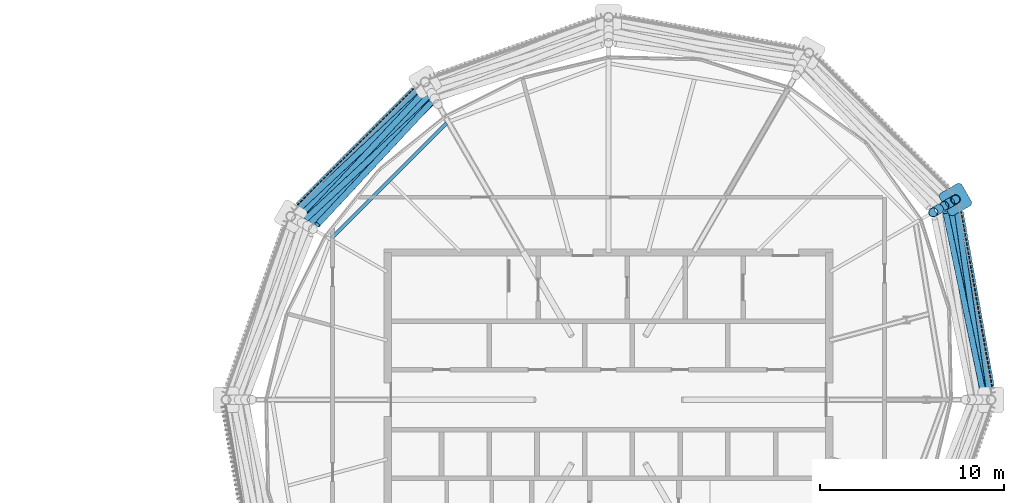
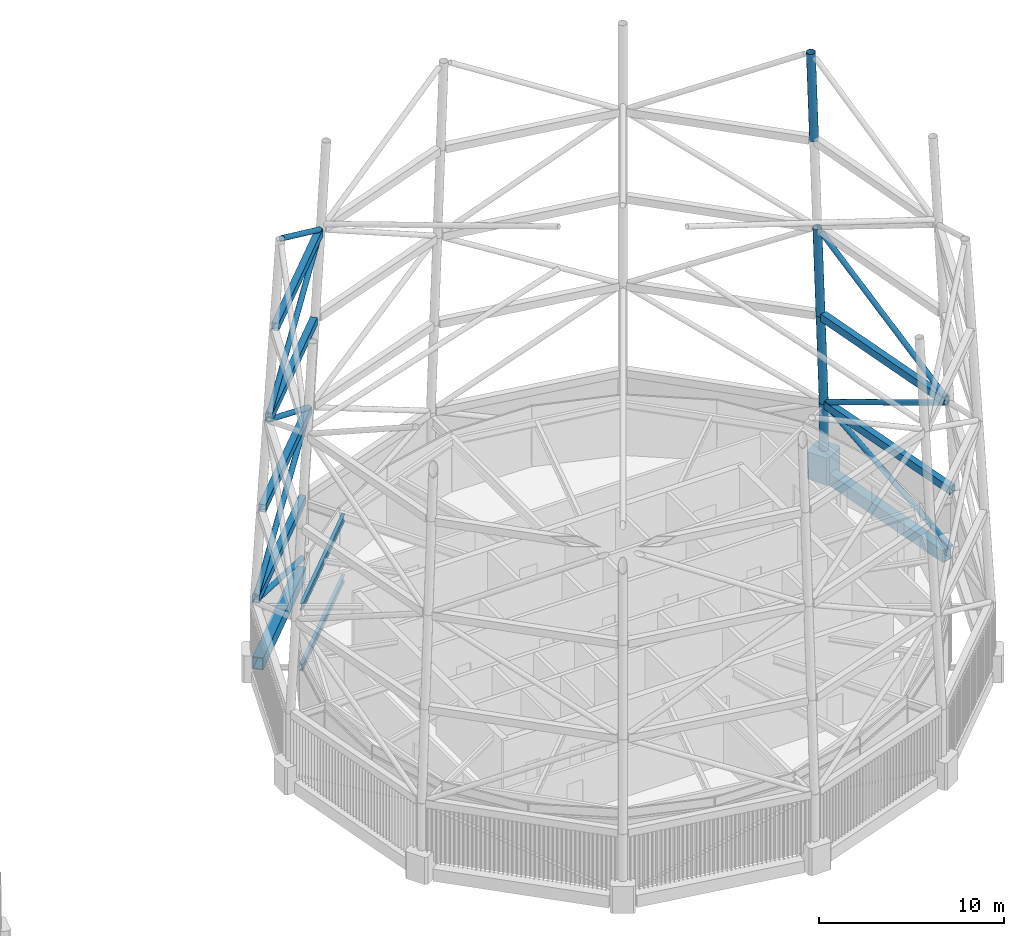
# One storey, part 55 of 71: 13 members, 10 beams.
"""IFC4 building model written with IfcOpenShell, lengths in metres."""

import ifcopenshell
import ifcopenshell.guid

model = None  # the IFC model being written
_history = None  # IfcOwnerHistory: only IFC2X3 demands one
_inside = {}  # id of a spatial element -> (the spatial element, [elements in it])
_under = {}  # id of a project, library or spatial element -> (it, [spatial elements below it])
_declared = {}  # id of a project -> (the project, [libraries it declares])
_typed = {}  # id of a type object -> (the type object, [elements of that type])
_made_of = {}  # id of a material, layer set ... -> (it, [elements and type objects made of it])


def new_model(schema):
    """Start an empty IFC model of exactly this schema.

    Asked for "IFC4X3", IfcOpenShell would pick the latest addendum, in which some entities
    have other attributes; the version numbers below select the first issue.
    IFC2X3 requires an IfcOwnerHistory on every rooted entity: one is made here for all.
    """
    global model, _history
    if schema == "IFC4X3":
        model = ifcopenshell.file(schema_version=(4, 3, 0, 0))
    else:
        model = ifcopenshell.file(schema=schema)
    _inside.clear()
    _under.clear()
    _declared.clear()
    _typed.clear()
    _made_of.clear()
    _history = None
    if model.schema == "IFC2X3":
        org = make("IfcOrganization", Name="unknown")
        user = make(
            "IfcPersonAndOrganization",
            ThePerson=make("IfcPerson", FamilyName="unknown"),
            TheOrganization=org,
        )
        app = make(
            "IfcApplication",
            ApplicationDeveloper=org,
            Version="unknown",
            ApplicationFullName="unknown",
            ApplicationIdentifier="unknown",
        )
        _history = make(
            "IfcOwnerHistory",
            OwningUser=user,
            OwningApplication=app,
            ChangeAction="ADDED",
            CreationDate=0,
        )
    return model


def make(cls, **values):
    """One entity of the class cls with the attributes given. An attribute that is None is left unset."""
    return model.create_entity(
        cls, **{name: value for name, value in values.items() if value is not None}
    )


def rooted(cls, **values):
    """An entity with a GlobalId (a new one), such as an element, a storey or a relation."""
    return make(cls, GlobalId=ifcopenshell.guid.new(), OwnerHistory=_history, **values)


def si_unit(unit_type, name, prefix=None):
    """IfcSIUnit, for example si_unit("LENGTHUNIT", "METRE", prefix="MILLI")."""
    return make("IfcSIUnit", UnitType=unit_type, Prefix=prefix, Name=name)


def assignment(units):
    """IfcUnitAssignment: the units of a project."""
    return None if units is None else make("IfcUnitAssignment", Units=units)


def point(xyz):
    """IfcCartesianPoint."""
    return None if xyz is None else make("IfcCartesianPoint", Coordinates=xyz)


def direction(xyz):
    """IfcDirection."""
    return None if xyz is None else make("IfcDirection", DirectionRatios=xyz)


def frame(location, z_axis=None, x_axis=None):
    """IfcAxis2Placement3D, a coordinate frame: its origin and axes. An axis left out is left unset."""
    return make(
        "IfcAxis2Placement3D",
        Location=point(location),
        Axis=direction(z_axis),
        RefDirection=direction(x_axis),
    )


def frame_2d(location, x_axis=None):
    """IfcAxis2Placement2D, a coordinate frame in the plane: its origin and x axis."""
    return make(
        "IfcAxis2Placement2D", Location=point(location), RefDirection=direction(x_axis)
    )


def origin():
    """The frame at (0, 0, 0) with its axes left unset."""
    return frame((0.0, 0.0, 0.0))


def origin_2d():
    """The frame at (0, 0) in the plane with its x axis left unset."""
    return frame_2d((0.0, 0.0))


def place(relative_to, where):
    """IfcLocalPlacement: puts the frame where relative to a parent placement (None: the world)."""
    return make(
        "IfcLocalPlacement", PlacementRelTo=relative_to, RelativePlacement=where
    )


def context(
    kind, dimensions, precision=None, world=None, true_north=None, identifier=None
):
    """IfcGeometricRepresentationContext, for example the 3D "Model" context."""
    return make(
        "IfcGeometricRepresentationContext",
        ContextIdentifier=identifier,
        ContextType=kind,
        CoordinateSpaceDimension=dimensions,
        Precision=precision,
        WorldCoordinateSystem=world,
        TrueNorth=true_north,
    )


def subcontext(parent, identifier, kind, view, scale=None):
    """IfcGeometricRepresentationSubContext, for example "Body" below "Model"."""
    return make(
        "IfcGeometricRepresentationSubContext",
        ContextIdentifier=identifier,
        ContextType=kind,
        ParentContext=parent,
        TargetScale=scale,
        TargetView=view,
    )


def project(units=None, contexts=None):
    """IfcProject with its units and contexts."""
    return rooted(
        "IfcProject",
        Name="project",
        RepresentationContexts=contexts,
        UnitsInContext=assignment(units),
    )


def spatial(cls, under=None, at=None, **own):
    """A site, building, storey or space (cls), placed at a placement, below another one or the project."""
    s = rooted(cls, ObjectPlacement=at, **own)
    if under is not None:
        _under.setdefault(under.id(), (under, []))[1].append(s)
    return s


def polyline(points):
    """IfcPolyline through the points."""
    return make("IfcPolyline", Points=[point(p) for p in points])


def profile(cls, at=None, kind="AREA", **sizes):
    """A parametric profile (cls). Its sizes go by their IFC names, for example OverallWidth=200.0."""
    return make(cls, ProfileType=kind, Position=at, **sizes)


def hollow_rectangle(**sizes):
    """IfcRectangleHollowProfileDef."""
    return profile("IfcRectangleHollowProfileDef", **sizes)


def hollow_circle(**sizes):
    """IfcCircleHollowProfileDef."""
    return profile("IfcCircleHollowProfileDef", **sizes)


def i_section(**sizes):
    """IfcIShapeProfileDef."""
    return profile("IfcIShapeProfileDef", **sizes)


def outline(outer, holes=None, kind="AREA"):
    """IfcArbitraryClosedProfileDef: a profile drawn as a closed curve; with holes, ...WithVoids."""
    if holes is None:
        return make("IfcArbitraryClosedProfileDef", ProfileType=kind, OuterCurve=outer)
    return make(
        "IfcArbitraryProfileDefWithVoids",
        ProfileType=kind,
        OuterCurve=outer,
        InnerCurves=holes,
    )


def extrude(swept, where, along, depth):
    """IfcExtrudedAreaSolid: the profile swept, set in the frame where, extruded along a direction by depth."""
    return make(
        "IfcExtrudedAreaSolid",
        SweptArea=swept,
        Position=where,
        ExtrudedDirection=direction(along),
        Depth=depth,
    )


def shape(context_of_items, identifier, shape_type, items):
    """IfcShapeRepresentation: the items that make up one representation, for example the "Body"."""
    return make(
        "IfcShapeRepresentation",
        ContextOfItems=context_of_items,
        RepresentationIdentifier=identifier,
        RepresentationType=shape_type,
        Items=items,
    )


def material(Name=None, Category=None):
    """IfcMaterial."""
    return make("IfcMaterial", Name=Name, Category=Category)


def material_profile(
    of_material, cross_section, Name=None, Category=None, Priority=None
):
    """IfcMaterialProfile: a cross section and its material."""
    return make(
        "IfcMaterialProfile",
        Name=Name,
        Material=of_material,
        Profile=cross_section,
        Priority=Priority,
        Category=Category,
    )


def profile_set(profiles, Name=None, composite=None):
    """IfcMaterialProfileSet."""
    return make(
        "IfcMaterialProfileSet",
        Name=Name,
        MaterialProfiles=profiles,
        CompositeProfile=composite,
    )


def made_of(thing, what):
    """Note that an element or type object is made of a material, layer set ...; save() writes the relation."""
    if what is not None:
        _made_of.setdefault(what.id(), (what, []))[1].append(thing)
    return thing


def type_object(cls, material=None, **own):
    """A type object (cls), such as IfcWallType, which elements share."""
    return made_of(rooted(cls, **own), material)


def element(
    cls,
    number,
    at=None,
    inside=None,
    cuts=None,
    type_object=None,
    material=None,
    context=None,
    identifier="Body",
    shape_type=None,
    held_by="IfcProductDefinitionShape",
    body=None,
    shapes=None,
    **own,
):
    """One element of the class cls, such as IfcWall. Its Tag is "e" and its number.

    at: its placement. inside: the storey or other place that contains it. cuts: it is an
    opening in that element (IfcRelVoidsElement). A single representation is given by context,
    identifier, shape_type and body (its items); several are given by shapes. held_by: the class
    of the entity that holds the representations. save() writes the other relations.
    """
    e = rooted(cls, Tag="e%d" % number, ObjectPlacement=at, **own)
    if body is not None:
        shapes = [shape(context, identifier, shape_type, body)]
    if shapes is not None:
        e.Representation = make(held_by, Representations=shapes)
    if inside is not None:
        _inside.setdefault(inside.id(), (inside, []))[1].append(e)
    if cuts is not None:
        rooted(
            "IfcRelVoidsElement", RelatingBuildingElement=cuts, RelatedOpeningElement=e
        )
    if type_object is not None:
        _typed.setdefault(type_object.id(), (type_object, []))[1].append(e)
    return made_of(e, material)


def aggregate(whole, parts):
    """IfcRelAggregates: a whole, such as a stair, and the parts it consists of."""
    return rooted("IfcRelAggregates", RelatingObject=whole, RelatedObjects=parts)


def save(model, path):
    """Write the relations noted so far, then the file.

    IfcRelAggregates (storeys below a building ...), IfcRelContainedInSpatialStructure (elements
    in a storey), IfcRelDefinesByType, IfcRelAssociatesMaterial and IfcRelDeclares: one each for
    every whole, place, type object, material and project.
    """
    for whole, parts in _under.values():
        aggregate(whole, parts)
    for where, things in _inside.values():
        rooted(
            "IfcRelContainedInSpatialStructure",
            RelatedElements=things,
            RelatingStructure=where,
        )
    for kind, things in _typed.values():
        rooted("IfcRelDefinesByType", RelatedObjects=things, RelatingType=kind)
    for what, things in _made_of.values():
        rooted("IfcRelAssociatesMaterial", RelatedObjects=things, RelatingMaterial=what)
    for by, libraries in _declared.values():
        rooted("IfcRelDeclares", RelatingContext=by, RelatedDefinitions=libraries)
    model.write(path)


model = new_model("IFC4")

# Units and contexts
model_context = context("Model", 3, precision=1e-05, world=origin(), true_north=direction((0.0, 1.0)))
body_context = subcontext(model_context, "Body", "Model", "MODEL_VIEW")
ifc_project = project(units=[si_unit("LENGTHUNIT", "METRE"), si_unit("AREAUNIT", "SQUARE_METRE"), si_unit("VOLUMEUNIT", "CUBIC_METRE"), si_unit("PLANEANGLEUNIT", "RADIAN"), si_unit("MASSUNIT", "GRAM", prefix="KILO")], contexts=[model_context])

# Site, building, storey
site_placement = place(None, origin())
site = spatial("IfcSite", under=ifc_project, at=site_placement, CompositionType="ELEMENT")
building_placement = place(site_placement, origin())
building = spatial("IfcBuilding", under=site, at=building_placement, Name="Rimbun Link Towers", CompositionType="ELEMENT")
storey_placement = place(building_placement, frame((0.0, 0.0, 267.60009765625)))
storey = spatial("IfcBuildingStorey", under=building, at=storey_placement, Name="L65", CompositionType="ELEMENT", Elevation=267.60009765625)

# Members
ifc_material_1 = material(Name="Steel S355J2H", Category="steel")
ifc_material_profile_1 = material_profile(ifc_material_1, hollow_circle(Radius=0.161865234375, WallThickness=0.011962890625, at=origin_2d()), Name="Crown frame brace CHS 324x12")
ifc_profile_set_1 = profile_set([ifc_material_profile_1], Name="Steel S355J2H")
member_type_1 = type_object("IfcMemberType", Name="Crown frame brace CHS 324x12", PredefinedType="BRACE", material=ifc_profile_set_1)
member_1_placement = place(storey_placement, frame((21.51318359375, 17.010009765625, 0.144287109375), z_axis=(-0.659349152723, -0.659349152723, 0.361271905365), x_axis=(0.707106781187, -0.707106781187, 0.0)))
element("IfcMember", 1, at=member_1_placement, inside=storey, type_object=member_type_1, Name="CROWN FRAME brace T2 1-02", PredefinedType="BRACE", context=body_context, shape_type="SweptSolid", body=[
    extrude(hollow_circle(Radius=0.161865234375, WallThickness=0.011962890625, at=origin_2d()), origin(), (0.0, 0.0, 1.0), 10.2724609375),
])
member_2_placement = place(storey_placement, frame((52.474609375, 0.370361328125, 0.135986328125), z_axis=(-0.16486215819, 0.925781566511, 0.34021898816), x_axis=(-0.984511377706, -0.175320698059, 0.0)))
element("IfcMember", 2, at=member_2_placement, inside=storey, type_object=member_type_1, Name="CROWN FRAME brace T2 1-10", PredefinedType="BRACE", context=body_context, shape_type="SweptSolid", body=[
    extrude(hollow_circle(Radius=0.161865234375, WallThickness=0.011962890625, at=origin_2d()), origin(), (0.0, 0.0, 1.0), 10.95703125),
])
member_3_placement = place(storey_placement, frame((14.728271484375, 10.208740234375, 4.2021484375), z_axis=(0.629887100253, 0.589631323604, 0.50554638082), x_axis=(-0.68339326955, 0.730050436021, 0.0)))
element("IfcMember", 3, at=member_3_placement, inside=storey, type_object=member_type_1, Name="CROWN FRAME brace T2 2-02", PredefinedType="BRACE", context=body_context, shape_type="SweptSolid", body=[
    extrude(hollow_circle(Radius=0.161865234375, WallThickness=0.011962890625, at=origin_2d()), origin(), (0.0, 0.0, 1.0), 11.068115234375),
])
member_4_placement = place(storey_placement, frame((50.653076171875, 10.536865234375, 4.19140625), z_axis=(0.126756665254, -0.868689028083, 0.478865451148), x_axis=(0.989521128238, 0.144388146228, 0.0)))
element("IfcMember", 4, at=member_4_placement, inside=storey, type_object=member_type_1, Name="CROWN FRAME brace T2 2-10", PredefinedType="BRACE", context=body_context, shape_type="SweptSolid", body=[
    extrude(hollow_circle(Radius=0.161865234375, WallThickness=0.011962890625, at=origin_2d()), origin(), (0.0, 0.0, 1.0), 11.729736328125),
])
member_5_placement = place(storey_placement, frame((21.71728515625, 16.7197265625, 10.204833984375), z_axis=(-0.586508399957, -0.627361512233, 0.512274760016), x_axis=(0.730491058485, -0.682922260197, 0.0)))
element("IfcMember", 5, at=member_5_placement, inside=storey, type_object=member_type_1, Name="CROWN FRAME brace T2 3-02", PredefinedType="BRACE", context=body_context, shape_type="SweptSolid", body=[
    extrude(hollow_circle(Radius=0.161865234375, WallThickness=0.011962890625, at=origin_2d()), origin(), (0.0, 0.0, 1.0), 10.912353515625),
])
member_6_placement = place(storey_placement, frame((52.119384765625, 0.342041015625, 10.19482421875), z_axis=(-0.17812141806, 0.855046383638, 0.486999427367), x_axis=(-0.978983447595, -0.203939719856, 0.0)))
element("IfcMember", 6, at=member_6_placement, inside=storey, type_object=member_type_1, Name="CROWN FRAME brace T2 3-10", PredefinedType="BRACE", context=body_context, shape_type="SweptSolid", body=[
    extrude(hollow_circle(Radius=0.161865234375, WallThickness=0.011962890625, at=origin_2d()), origin(), (0.0, 0.0, 1.0), 11.520263671875),
])
member_7_placement = place(storey_placement, frame((15.33251953125, 9.856201171875, 16.20751953125), z_axis=(0.624656366014, 0.583327323304, 0.519166310815), x_axis=(-0.682515022329, 0.730871564842, 0.0)))
element("IfcMember", 7, at=member_7_placement, inside=storey, type_object=member_type_1, Name="CROWN FRAME brace T2 4-02", PredefinedType="BRACE", context=body_context, shape_type="SweptSolid", body=[
    extrude(hollow_circle(Radius=0.161865234375, WallThickness=0.011962890625, at=origin_2d()), origin(), (0.0, 0.0, 1.0), 10.757080078125),
])
member_8_placement = place(storey_placement, frame((22.070068359375, 16.115478515625, 22.21044921875), z_axis=(-0.579987642774, -0.621895595364, 0.526175068486), x_axis=(0.731318145522, -0.682036487316, 0.0)))
element("IfcMember", 8, at=member_8_placement, inside=storey, type_object=member_type_1, Name="CROWN FRAME brace T2 5-02", PredefinedType="BRACE", context=body_context, shape_type="SweptSolid", body=[
    extrude(hollow_circle(Radius=0.161865234375, WallThickness=0.011962890625, at=origin_2d()), origin(), (0.0, 0.0, 1.0), 10.602783203125),
])
ifc_material_2 = material(Name="Steel S355J2H", Category="steel")
ifc_material_profile_2 = material_profile(ifc_material_2, hollow_circle(Radius=0.25390625, WallThickness=0.02001953125, at=origin_2d()), Name="Crown frame post CHS 508x20")
ifc_profile_set_2 = profile_set([ifc_material_profile_2], Name="Steel S355J2H")
member_type_2 = type_object("IfcMemberType", Name="Crown frame post CHS 508x20", PredefinedType="POST", material=ifc_profile_set_2)
member_9_placement = place(storey_placement, frame((50.602294921875, 10.884521484375, 0.0), z_axis=(0.0, 0.0, 1.0), x_axis=(1.0, 0.0, 0.0)))
element("IfcMember", 9, at=member_9_placement, inside=storey, type_object=member_type_2, Name="CROWN FRAME post T2 1-11", PredefinedType="POST", context=body_context, shape_type="SweptSolid", body=[
    extrude(hollow_circle(Radius=0.25390625, WallThickness=0.02001953125, at=origin_2d()), origin(), (0.0, 0.0, 1.0), 4.0),
])
for number, where, z_axis, x_axis, name in (
    (10, (50.602294921875, 10.884521484375, 4.0), (-0.050410767075, -0.029125318286, 0.998303796646), (0.500265973451, -0.865871789474, 0.0), "CROWN FRAME post T2 2-11"),
    (11, (50.29931640625, 10.70947265625, 10.0), (-0.050451284808, -0.029125258621, 0.998301751562), (0.49996389635, -0.866046247233, 0.0), "CROWN FRAME post T2 3-11"),
    (12, (49.693115234375, 10.359375, 22.0), (-0.050451284808, -0.029125258621, 0.998301751562), (0.49996389635, -0.866046247233, 0.0), "CROWN FRAME post T2 5-11"),
):
    element("IfcMember", number, at=place(storey_placement, frame(where, z_axis=z_axis, x_axis=x_axis)), inside=storey, type_object=member_type_2, Name=name, PredefinedType="POST", context=body_context, shape_type="SweptSolid", body=[
        extrude(hollow_circle(Radius=0.25390625, WallThickness=0.02001953125, at=origin_2d()), origin(), (0.0, 0.0, 1.0), 6.01025390625),
    ])

# Beams
ifc_material_3 = material(Name="Steel S355J2", Category="steel")
ifc_material_profile_3 = material_profile(ifc_material_3, hollow_rectangle(XDim=0.39990234375, YDim=0.5, WallThickness=0.02001953125, at=origin_2d()), Name="Crown frame ring beam BOX 400x500x20")
ifc_profile_set_3 = profile_set([ifc_material_profile_3], Name="Steel S355J2")
beam_type_1 = type_object("IfcBeamType", Name="Crown frame ring beam BOX 400x500x20", PredefinedType="BEAM", material=ifc_profile_set_3)
beam_1_placement = place(storey_placement, frame((21.597412109375, 17.093994140625, 4.0), z_axis=(-0.707106781187, -0.707106781187, 0.0), x_axis=(0.707106781187, -0.707106781187, 0.0)))
element("IfcBeam", 13, at=beam_1_placement, inside=storey, type_object=beam_type_1, Name="CROWN FRAME ring beam T2 1-02", PredefinedType="BEAM", context=body_context, shape_type="SweptSolid", body=[
    extrude(hollow_rectangle(XDim=0.39990234375, YDim=0.5, WallThickness=0.02001953125, at=origin_2d()), origin(), (0.0, 0.0, 1.0), 9.816650390625),
])
beam_2_placement = place(storey_placement, frame((52.49609375, 0.25, 4.0), z_axis=(-0.175333986004, 0.984509011311, 0.0), x_axis=(-0.984509011311, -0.175333986004, 0.0)))
element("IfcBeam", 14, at=beam_2_placement, inside=storey, type_object=beam_type_1, Name="CROWN FRAME ring beam T2 1-10", PredefinedType="BEAM", context=body_context, shape_type="SweptSolid", body=[
    extrude(hollow_rectangle(XDim=0.39990234375, YDim=0.5, WallThickness=0.02001953125, at=origin_2d()), origin(), (0.0, 0.0, 1.0), 10.547607421875),
])
beam_3_placement = place(storey_placement, frame((21.7724609375, 16.791015625, 10.0), z_axis=(-0.707106781187, -0.707106781187, 0.0), x_axis=(0.707106781187, -0.707106781187, 0.0)))
element("IfcBeam", 15, at=beam_3_placement, inside=storey, type_object=beam_type_1, Name="CROWN FRAME ring beam T2 2-02", PredefinedType="BEAM", context=body_context, shape_type="SweptSolid", body=[
    extrude(hollow_rectangle(XDim=0.39990234375, YDim=0.5, WallThickness=0.02001953125, at=origin_2d()), origin(), (0.0, 0.0, 1.0), 9.6357421875),
])
beam_4_placement = place(storey_placement, frame((52.146240234375, 0.25, 10.0), z_axis=(-0.17388877646, 0.984765298648, 0.0), x_axis=(-0.984765298648, -0.17388877646, 0.0)))
element("IfcBeam", 16, at=beam_4_placement, inside=storey, type_object=beam_type_1, Name="CROWN FRAME ring beam T2 2-10", PredefinedType="BEAM", context=body_context, shape_type="SweptSolid", body=[
    extrude(hollow_rectangle(XDim=0.39990234375, YDim=0.5, WallThickness=0.02001953125, at=origin_2d()), origin(), (0.0, 0.0, 1.0), 10.3671875),
])
beam_5_placement = place(storey_placement, frame((21.947509765625, 16.48779296875, 16.0), z_axis=(-0.707106781187, -0.707106781187, 0.0), x_axis=(0.707106781187, -0.707106781187, 0.0)))
element("IfcBeam", 17, at=beam_5_placement, inside=storey, type_object=beam_type_1, Name="CROWN FRAME ring beam T2 3-02", PredefinedType="BEAM", context=body_context, shape_type="SweptSolid", body=[
    extrude(hollow_rectangle(XDim=0.39990234375, YDim=0.5, WallThickness=0.02001953125, at=origin_2d()), origin(), (0.0, 0.0, 1.0), 9.454345703125),
])
beam_6_placement = place(storey_placement, frame((22.122314453125, 16.184814453125, 22.0), z_axis=(-0.707106781187, -0.707106781187, 0.0), x_axis=(0.707106781187, -0.707106781187, 0.0)))
element("IfcBeam", 18, at=beam_6_placement, inside=storey, type_object=beam_type_1, Name="CROWN FRAME ring beam T2 4-02", PredefinedType="BEAM", context=body_context, shape_type="SweptSolid", body=[
    extrude(hollow_rectangle(XDim=0.39990234375, YDim=0.5, WallThickness=0.02001953125, at=origin_2d()), origin(), (0.0, 0.0, 1.0), 9.273193359375),
])

# Member
ifc_material_4 = material(Name="Cast steel G20Mn5+QT, Rp0.2 300 MPa", Category="steel")
ifc_material_profile_4 = material_profile(ifc_material_4, outline(polyline([(0.699951171875, -0.570068359375), (0.699951171875, 0.570068359375), (0.570068359375, 0.699951171875), (-0.570068359375, 0.699951171875), (-0.699951171875, 0.570068359375), (-0.699951171875, -0.570068359375), (-0.570068359375, -0.699951171875), (0.570068359375, -0.699951171875), (0.699951171875, -0.570068359375)])), Name="NODE 1400x1400")
ifc_profile_set_4 = profile_set([ifc_material_profile_4], Name="Cast steel G20Mn5+QT, Rp0.2 300 MPa")
member_type_3 = type_object("IfcMemberType", Name="Diagrid node cast 1400", PredefinedType="USERDEFINED", material=ifc_profile_set_4)
member_10_placement = place(storey_placement, frame((50.602294921875, 10.884521484375, -0.900146484375), z_axis=(0.0, 0.0, 1.0), x_axis=(0.866025403784, 0.5, 0.0)))
element("IfcMember", 19, at=member_10_placement, inside=storey, type_object=member_type_3, Name="Diagrid node L65 23", ObjectType="Diagrid node", PredefinedType="USERDEFINED", context=body_context, shape_type="SweptSolid", body=[
    extrude(outline(polyline([(0.699951171875, -0.570068359375), (0.699951171875, 0.570068359375), (0.570068359375, 0.699951171875), (-0.570068359375, 0.699951171875), (-0.699951171875, 0.570068359375), (-0.699951171875, -0.570068359375), (-0.570068359375, -0.699951171875), (0.570068359375, -0.699951171875), (0.699951171875, -0.570068359375)])), origin(), (0.0, 0.0, 1.0), 1.800048828125),
])

# Beams
ifc_material_5 = material(Name="Steel S355J2", Category="steel")
ifc_material_profile_5 = material_profile(ifc_material_5, hollow_rectangle(XDim=0.60009765625, YDim=0.800048828125, WallThickness=0.0400390625, at=origin_2d()), Name="Exoskeleton ring girder BOX 600x800x40")
ifc_profile_set_5 = profile_set([ifc_material_profile_5], Name="Steel S355J2")
beam_type_2 = type_object("IfcBeamType", Name="Exoskeleton ring girder BOX 600x800x40", PredefinedType="BEAM", material=ifc_profile_set_5)
beam_7_placement = place(storey_placement, frame((21.281982421875, 16.77880859375, -0.56005859375), z_axis=(-0.707106781187, -0.707106781187, 0.0), x_axis=(0.707106781187, -0.707106781187, 0.0)))
element("IfcBeam", 20, at=beam_7_placement, inside=storey, type_object=beam_type_2, Name="Exoskeleton ring girder L65 02", PredefinedType="BEAM", context=body_context, shape_type="SweptSolid", body=[
    extrude(hollow_rectangle(XDim=0.60009765625, YDim=0.800048828125, WallThickness=0.0400390625, at=origin_2d()), origin(), (0.0, 0.0, 1.0), 8.9248046875),
])
beam_8_placement = place(storey_placement, frame((52.417724609375, 0.689208984375, -0.56005859375), z_axis=(-0.175299672263, 0.984515121725, 0.0), x_axis=(-0.984515121725, -0.175299672263, 0.0)))
element("IfcBeam", 21, at=beam_8_placement, inside=storey, type_object=beam_type_2, Name="Exoskeleton ring girder L65 10", PredefinedType="BEAM", context=body_context, shape_type="SweptSolid", body=[
    extrude(hollow_rectangle(XDim=0.60009765625, YDim=0.800048828125, WallThickness=0.0400390625, at=origin_2d()), origin(), (0.0, 0.0, 1.0), 9.655517578125),
])
ifc_material_6 = material(Name="Steel S355J2", Category="steel")
ifc_material_profile_6 = material_profile(ifc_material_6, i_section(OverallWidth=0.18994140625, OverallDepth=0.453369140625, WebThickness=0.008544921875, FlangeThickness=0.0126953125, at=origin_2d()), Name="UB 457x191x67")
ifc_profile_set_6 = profile_set([ifc_material_profile_6], Name="Steel S355J2")
beam_type_3 = type_object("IfcBeamType", Name="UB 457x191x67", PredefinedType="BEAM", material=ifc_profile_set_6)
for number, where, z_axis, x_axis, name in (
    (22, (22.951171875, 15.02880859375, -0.4267578125), (-0.707106781187, -0.707106781187, 0.0), (0.707106781187, -0.707106781187, 0.0), "Edge beam T2 L65 05-07"),
    (23, (22.951171875, 15.02880859375, 3.5732421875), (-0.707106781187, -0.707106781187, 0.0), (0.707106781187, -0.707106781187, 0.0), "Edge beam T2 L65 05-07"),
):
    element("IfcBeam", number, at=place(storey_placement, frame(where, z_axis=z_axis, x_axis=x_axis)), inside=storey, type_object=beam_type_3, Name=name, PredefinedType="BEAM", context=body_context, shape_type="SweptSolid", body=[
        extrude(i_section(OverallWidth=0.18994140625, OverallDepth=0.453369140625, WebThickness=0.008544921875, FlangeThickness=0.0126953125, at=origin_2d()), origin(), (0.0, 0.0, 1.0), 8.833251953125),
    ])

save(model, "model.ifc")
